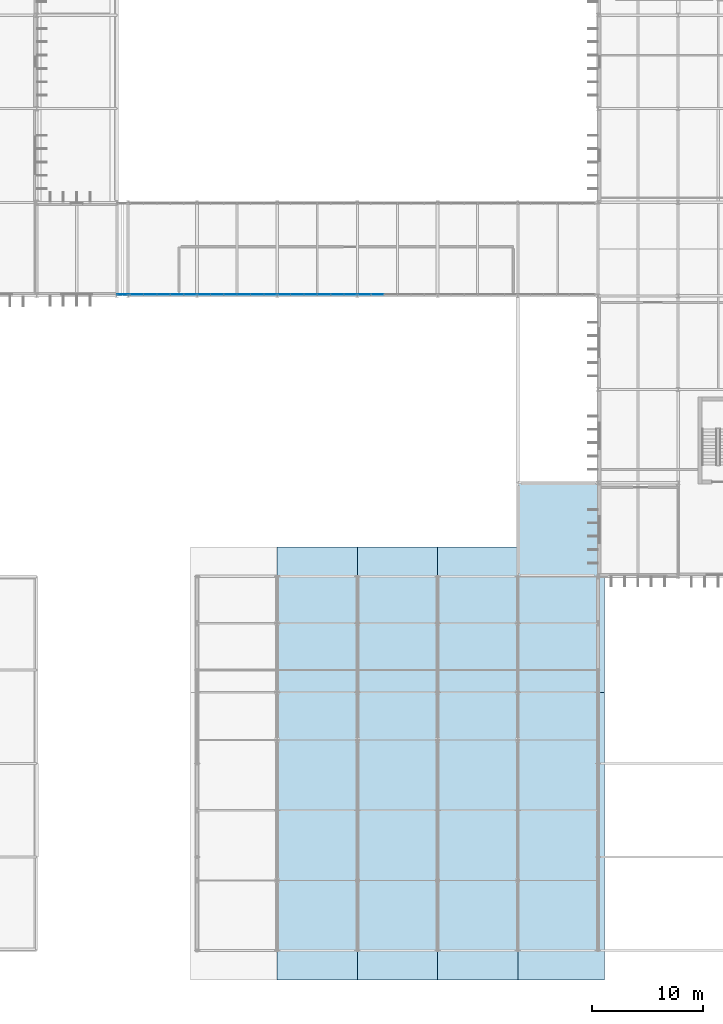
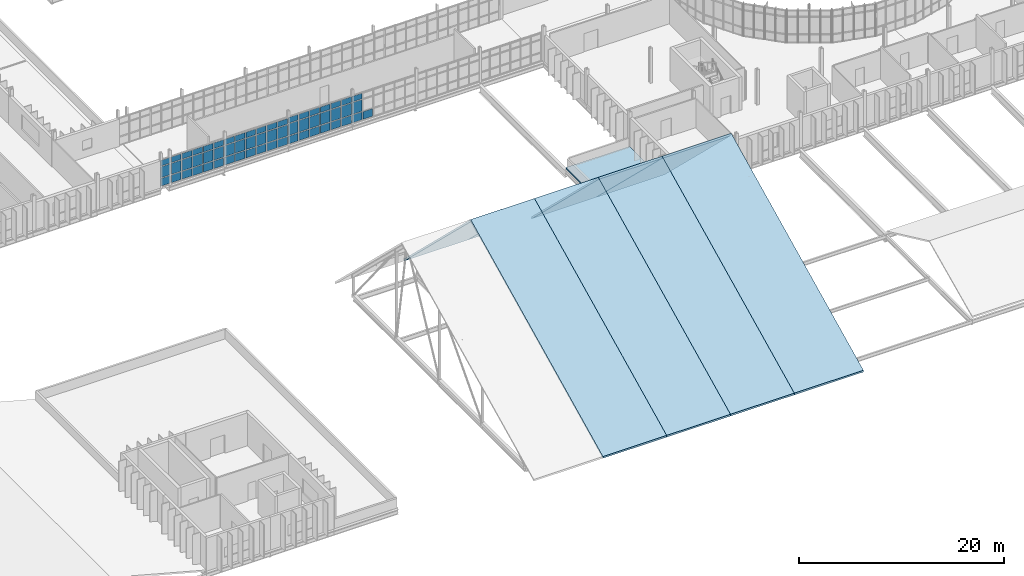
# One storey, part 57 of 99: 58 plates, 9 slabs, 4 elements without a shape of their own.
"""IFC4 building model written with IfcOpenShell, lengths in metres."""

from ifc_helpers import new_model, si_unit, direction, frame, origin, origin_2d, place, context, subcontext, project, spatial, polyline, rectangle, outline, extrude, material, layer, layer_set, type_object, element, aggregate, save


model = new_model("IFC4")

# Units and contexts
model_context = context("Model", 3, precision=1e-05, world=origin(), true_north=direction((0.0, 1.0)))
body_context = subcontext(model_context, "Body", "Model", "MODEL_VIEW")
ifc_project = project(units=[si_unit("LENGTHUNIT", "METRE"), si_unit("AREAUNIT", "SQUARE_METRE"), si_unit("VOLUMEUNIT", "CUBIC_METRE"), si_unit("PLANEANGLEUNIT", "RADIAN"), si_unit("MASSUNIT", "GRAM", prefix="KILO")], contexts=[model_context])

# Site, building, storey
site_placement = place(None, origin())
site = spatial("IfcSite", under=ifc_project, at=site_placement, CompositionType="ELEMENT")
building_placement = place(site_placement, origin())
building = spatial("IfcBuilding", under=site, at=building_placement, Name="Qelthora Terrace Specialist Clinic", CompositionType="ELEMENT")
storey_placement = place(building_placement, frame((0.0, 0.0, 9.0)))
storey = spatial("IfcBuildingStorey", under=building, at=storey_placement, Name="L02", CompositionType="ELEMENT", Elevation=9.0)

# Curtain wall, plates
ifc_material_1 = material(Name="Aluminium anodized bronze", Category="aluminium")
curtain_wall_type = type_object("IfcCurtainWallType", Name="CW-BRG-L02", PredefinedType="NOTDEFINED", material=ifc_material_1)
curtain_wall_1_placement = place(storey_placement, origin())
curtain_wall_1 = element("IfcCurtainWall", 1, at=curtain_wall_1_placement, inside=storey, type_object=curtain_wall_type, Name="Curtain wall CW-L02-262", PredefinedType="NOTDEFINED")
ifc_material_2 = material(Name="Low-E triple-silver insulating glass", Category="glass")
ifc_layer_1 = layer(ifc_material_2, 0.035888671875)
ifc_layer_set_1 = layer_set([ifc_layer_1], Name="Low-E triple-silver insulating glass")
plate_type = type_object("IfcPlateType", Name="CWP-IGU-36", PredefinedType="CURTAIN_PANEL", material=ifc_layer_set_1)
plate_1_placement = place(storey_placement, frame((51.0, 58.919921875, 0.0849609375), z_axis=(0.0, 0.0, 1.0), x_axis=(1.0, 0.0, 0.0)))
plate_1 = element("IfcPlate", 2, at=plate_1_placement, type_object=plate_type, Name="CW-L02-262 glazed panel 1", PredefinedType="CURTAIN_PANEL", context=body_context, shape_type="SweptSolid", body=[
    extrude(rectangle(XDim=1.10009765625, YDim=0.035888671875, at=origin_2d()), origin(), (0.0, 0.0, 1.0), 0.919921875),
])
plate_2_placement = place(storey_placement, frame((51.0, 58.919921875, 1.094970703125), z_axis=(0.0, 0.0, 1.0), x_axis=(1.0, 0.0, 0.0)))
plate_2 = element("IfcPlate", 3, at=plate_2_placement, type_object=plate_type, Name="CW-L02-262 glazed panel 2", PredefinedType="CURTAIN_PANEL", context=body_context, shape_type="SweptSolid", body=[
    extrude(rectangle(XDim=1.10009765625, YDim=0.035888671875, at=origin_2d()), origin(), (0.0, 0.0, 1.0), 1.30908203125),
])
plate_3_placement = place(storey_placement, frame((51.0, 58.919921875, 2.494140625), z_axis=(0.0, 0.0, 1.0), x_axis=(1.0, 0.0, 0.0)))
plate_3 = element("IfcPlate", 4, at=plate_3_placement, type_object=plate_type, Name="CW-L02-262 glazed panel 3", PredefinedType="CURTAIN_PANEL", context=body_context, shape_type="SweptSolid", body=[
    extrude(rectangle(XDim=1.10009765625, YDim=0.035888671875, at=origin_2d()), origin(), (0.0, 0.0, 1.0), 0.669921875),
])
plate_4_placement = place(storey_placement, frame((52.199951171875, 58.919921875, 0.0849609375), z_axis=(0.0, 0.0, 1.0), x_axis=(1.0, 0.0, 0.0)))
plate_4 = element("IfcPlate", 5, at=plate_4_placement, type_object=plate_type, Name="CW-L02-262 glazed panel 4", PredefinedType="CURTAIN_PANEL", context=body_context, shape_type="SweptSolid", body=[
    extrude(rectangle(XDim=1.10009765625, YDim=0.035888671875, at=origin_2d()), origin(), (0.0, 0.0, 1.0), 0.919921875),
])
plate_5_placement = place(storey_placement, frame((52.199951171875, 58.919921875, 1.094970703125), z_axis=(0.0, 0.0, 1.0), x_axis=(1.0, 0.0, 0.0)))
plate_5 = element("IfcPlate", 6, at=plate_5_placement, type_object=plate_type, Name="CW-L02-262 glazed panel 5", PredefinedType="CURTAIN_PANEL", context=body_context, shape_type="SweptSolid", body=[
    extrude(rectangle(XDim=1.10009765625, YDim=0.035888671875, at=origin_2d()), origin(), (0.0, 0.0, 1.0), 1.30908203125),
])
plate_6_placement = place(storey_placement, frame((52.199951171875, 58.919921875, 2.494140625), z_axis=(0.0, 0.0, 1.0), x_axis=(1.0, 0.0, 0.0)))
plate_6 = element("IfcPlate", 7, at=plate_6_placement, type_object=plate_type, Name="CW-L02-262 glazed panel 6", PredefinedType="CURTAIN_PANEL", context=body_context, shape_type="SweptSolid", body=[
    extrude(rectangle(XDim=1.10009765625, YDim=0.035888671875, at=origin_2d()), origin(), (0.0, 0.0, 1.0), 0.669921875),
])
plate_7_placement = place(storey_placement, frame((53.39990234375, 58.919921875, 0.0849609375), z_axis=(0.0, 0.0, 1.0), x_axis=(1.0, 0.0, 0.0)))
plate_7 = element("IfcPlate", 8, at=plate_7_placement, type_object=plate_type, Name="CW-L02-262 glazed panel 7", PredefinedType="CURTAIN_PANEL", context=body_context, shape_type="SweptSolid", body=[
    extrude(rectangle(XDim=1.10009765625, YDim=0.035888671875, at=origin_2d()), origin(), (0.0, 0.0, 1.0), 0.919921875),
])
plate_8_placement = place(storey_placement, frame((53.39990234375, 58.919921875, 1.094970703125), z_axis=(0.0, 0.0, 1.0), x_axis=(1.0, 0.0, 0.0)))
plate_8 = element("IfcPlate", 9, at=plate_8_placement, type_object=plate_type, Name="CW-L02-262 glazed panel 8", PredefinedType="CURTAIN_PANEL", context=body_context, shape_type="SweptSolid", body=[
    extrude(rectangle(XDim=1.10009765625, YDim=0.035888671875, at=origin_2d()), origin(), (0.0, 0.0, 1.0), 1.30908203125),
])
plate_9_placement = place(storey_placement, frame((53.39990234375, 58.919921875, 2.494140625), z_axis=(0.0, 0.0, 1.0), x_axis=(1.0, 0.0, 0.0)))
plate_9 = element("IfcPlate", 10, at=plate_9_placement, type_object=plate_type, Name="CW-L02-262 glazed panel 9", PredefinedType="CURTAIN_PANEL", context=body_context, shape_type="SweptSolid", body=[
    extrude(rectangle(XDim=1.10009765625, YDim=0.035888671875, at=origin_2d()), origin(), (0.0, 0.0, 1.0), 0.669921875),
])
plate_10_placement = place(storey_placement, frame((54.60009765625, 58.919921875, 0.0849609375), z_axis=(0.0, 0.0, 1.0), x_axis=(1.0, 0.0, 0.0)))
plate_10 = element("IfcPlate", 11, at=plate_10_placement, type_object=plate_type, Name="CW-L02-262 glazed panel 10", PredefinedType="CURTAIN_PANEL", context=body_context, shape_type="SweptSolid", body=[
    extrude(rectangle(XDim=1.10009765625, YDim=0.035888671875, at=origin_2d()), origin(), (0.0, 0.0, 1.0), 0.919921875),
])
plate_11_placement = place(storey_placement, frame((54.60009765625, 58.919921875, 1.094970703125), z_axis=(0.0, 0.0, 1.0), x_axis=(1.0, 0.0, 0.0)))
plate_11 = element("IfcPlate", 12, at=plate_11_placement, type_object=plate_type, Name="CW-L02-262 glazed panel 11", PredefinedType="CURTAIN_PANEL", context=body_context, shape_type="SweptSolid", body=[
    extrude(rectangle(XDim=1.10009765625, YDim=0.035888671875, at=origin_2d()), origin(), (0.0, 0.0, 1.0), 1.30908203125),
])
plate_12_placement = place(storey_placement, frame((54.60009765625, 58.919921875, 2.494140625), z_axis=(0.0, 0.0, 1.0), x_axis=(1.0, 0.0, 0.0)))
plate_12 = element("IfcPlate", 13, at=plate_12_placement, type_object=plate_type, Name="CW-L02-262 glazed panel 12", PredefinedType="CURTAIN_PANEL", context=body_context, shape_type="SweptSolid", body=[
    extrude(rectangle(XDim=1.10009765625, YDim=0.035888671875, at=origin_2d()), origin(), (0.0, 0.0, 1.0), 0.669921875),
])
plate_13_placement = place(storey_placement, frame((55.800048828125, 58.919921875, 0.0849609375), z_axis=(0.0, 0.0, 1.0), x_axis=(1.0, 0.0, 0.0)))
plate_13 = element("IfcPlate", 14, at=plate_13_placement, type_object=plate_type, Name="CW-L02-262 glazed panel 13", PredefinedType="CURTAIN_PANEL", context=body_context, shape_type="SweptSolid", body=[
    extrude(rectangle(XDim=1.10009765625, YDim=0.035888671875, at=origin_2d()), origin(), (0.0, 0.0, 1.0), 0.919921875),
])
plate_14_placement = place(storey_placement, frame((55.800048828125, 58.919921875, 1.094970703125), z_axis=(0.0, 0.0, 1.0), x_axis=(1.0, 0.0, 0.0)))
plate_14 = element("IfcPlate", 15, at=plate_14_placement, type_object=plate_type, Name="CW-L02-262 glazed panel 14", PredefinedType="CURTAIN_PANEL", context=body_context, shape_type="SweptSolid", body=[
    extrude(rectangle(XDim=1.10009765625, YDim=0.035888671875, at=origin_2d()), origin(), (0.0, 0.0, 1.0), 1.30908203125),
])
plate_15_placement = place(storey_placement, frame((55.800048828125, 58.919921875, 2.494140625), z_axis=(0.0, 0.0, 1.0), x_axis=(1.0, 0.0, 0.0)))
plate_15 = element("IfcPlate", 16, at=plate_15_placement, type_object=plate_type, Name="CW-L02-262 glazed panel 15", PredefinedType="CURTAIN_PANEL", context=body_context, shape_type="SweptSolid", body=[
    extrude(rectangle(XDim=1.10009765625, YDim=0.035888671875, at=origin_2d()), origin(), (0.0, 0.0, 1.0), 0.669921875),
])
plate_16_placement = place(storey_placement, frame((57.0, 58.919921875, 0.0849609375), z_axis=(0.0, 0.0, 1.0), x_axis=(1.0, 0.0, 0.0)))
plate_16 = element("IfcPlate", 17, at=plate_16_placement, type_object=plate_type, Name="CW-L02-262 glazed panel 16", PredefinedType="CURTAIN_PANEL", context=body_context, shape_type="SweptSolid", body=[
    extrude(rectangle(XDim=1.10009765625, YDim=0.035888671875, at=origin_2d()), origin(), (0.0, 0.0, 1.0), 0.919921875),
])
plate_17_placement = place(storey_placement, frame((57.0, 58.919921875, 1.094970703125), z_axis=(0.0, 0.0, 1.0), x_axis=(1.0, 0.0, 0.0)))
plate_17 = element("IfcPlate", 18, at=plate_17_placement, type_object=plate_type, Name="CW-L02-262 glazed panel 17", PredefinedType="CURTAIN_PANEL", context=body_context, shape_type="SweptSolid", body=[
    extrude(rectangle(XDim=1.10009765625, YDim=0.035888671875, at=origin_2d()), origin(), (0.0, 0.0, 1.0), 1.30908203125),
])
plate_18_placement = place(storey_placement, frame((57.0, 58.919921875, 2.494140625), z_axis=(0.0, 0.0, 1.0), x_axis=(1.0, 0.0, 0.0)))
plate_18 = element("IfcPlate", 19, at=plate_18_placement, type_object=plate_type, Name="CW-L02-262 glazed panel 18", PredefinedType="CURTAIN_PANEL", context=body_context, shape_type="SweptSolid", body=[
    extrude(rectangle(XDim=1.10009765625, YDim=0.035888671875, at=origin_2d()), origin(), (0.0, 0.0, 1.0), 0.669921875),
])
aggregate(curtain_wall_1, [plate_1, plate_2, plate_3, plate_4, plate_5, plate_6, plate_7, plate_8, plate_9, plate_10, plate_11, plate_12, plate_13, plate_14, plate_15, plate_16, plate_17, plate_18])

curtain_wall_2_placement = place(storey_placement, origin())
curtain_wall_2 = element("IfcCurtainWall", 20, at=curtain_wall_2_placement, inside=storey, type_object=curtain_wall_type, Name="Curtain wall CW-L02-263", PredefinedType="NOTDEFINED")
plate_19_placement = place(storey_placement, frame((58.199951171875, 58.919921875, 0.0849609375), z_axis=(0.0, 0.0, 1.0), x_axis=(1.0, 0.0, 0.0)))
plate_19 = element("IfcPlate", 21, at=plate_19_placement, type_object=plate_type, Name="CW-L02-263 glazed panel 1", PredefinedType="CURTAIN_PANEL", context=body_context, shape_type="SweptSolid", body=[
    extrude(rectangle(XDim=1.10009765625, YDim=0.035888671875, at=origin_2d()), origin(), (0.0, 0.0, 1.0), 0.919921875),
])
plate_20_placement = place(storey_placement, frame((58.199951171875, 58.919921875, 1.094970703125), z_axis=(0.0, 0.0, 1.0), x_axis=(1.0, 0.0, 0.0)))
plate_20 = element("IfcPlate", 22, at=plate_20_placement, type_object=plate_type, Name="CW-L02-263 glazed panel 2", PredefinedType="CURTAIN_PANEL", context=body_context, shape_type="SweptSolid", body=[
    extrude(rectangle(XDim=1.10009765625, YDim=0.035888671875, at=origin_2d()), origin(), (0.0, 0.0, 1.0), 1.31396484375),
])
plate_21_placement = place(storey_placement, frame((58.199951171875, 58.919921875, 2.4990234375), z_axis=(0.0, 0.0, 1.0), x_axis=(1.0, 0.0, 0.0)))
plate_21 = element("IfcPlate", 23, at=plate_21_placement, type_object=plate_type, Name="CW-L02-263 glazed panel 3", PredefinedType="CURTAIN_PANEL", context=body_context, shape_type="SweptSolid", body=[
    extrude(rectangle(XDim=1.10009765625, YDim=0.035888671875, at=origin_2d()), origin(), (0.0, 0.0, 1.0), 0.669921875),
])
plate_22_placement = place(storey_placement, frame((59.39990234375, 58.919921875, 0.0849609375), z_axis=(0.0, 0.0, 1.0), x_axis=(1.0, 0.0, 0.0)))
plate_22 = element("IfcPlate", 24, at=plate_22_placement, type_object=plate_type, Name="CW-L02-263 glazed panel 4", PredefinedType="CURTAIN_PANEL", context=body_context, shape_type="SweptSolid", body=[
    extrude(rectangle(XDim=1.10009765625, YDim=0.035888671875, at=origin_2d()), origin(), (0.0, 0.0, 1.0), 0.919921875),
])
plate_23_placement = place(storey_placement, frame((59.39990234375, 58.919921875, 1.094970703125), z_axis=(0.0, 0.0, 1.0), x_axis=(1.0, 0.0, 0.0)))
plate_23 = element("IfcPlate", 25, at=plate_23_placement, type_object=plate_type, Name="CW-L02-263 glazed panel 5", PredefinedType="CURTAIN_PANEL", context=body_context, shape_type="SweptSolid", body=[
    extrude(rectangle(XDim=1.10009765625, YDim=0.035888671875, at=origin_2d()), origin(), (0.0, 0.0, 1.0), 1.31396484375),
])
plate_24_placement = place(storey_placement, frame((59.39990234375, 58.919921875, 2.4990234375), z_axis=(0.0, 0.0, 1.0), x_axis=(1.0, 0.0, 0.0)))
plate_24 = element("IfcPlate", 26, at=plate_24_placement, type_object=plate_type, Name="CW-L02-263 glazed panel 6", PredefinedType="CURTAIN_PANEL", context=body_context, shape_type="SweptSolid", body=[
    extrude(rectangle(XDim=1.10009765625, YDim=0.035888671875, at=origin_2d()), origin(), (0.0, 0.0, 1.0), 0.669921875),
])
plate_25_placement = place(storey_placement, frame((60.60009765625, 58.919921875, 0.0849609375), z_axis=(0.0, 0.0, 1.0), x_axis=(1.0, 0.0, 0.0)))
plate_25 = element("IfcPlate", 27, at=plate_25_placement, type_object=plate_type, Name="CW-L02-263 glazed panel 7", PredefinedType="CURTAIN_PANEL", context=body_context, shape_type="SweptSolid", body=[
    extrude(rectangle(XDim=1.10009765625, YDim=0.035888671875, at=origin_2d()), origin(), (0.0, 0.0, 1.0), 0.919921875),
])
plate_26_placement = place(storey_placement, frame((60.60009765625, 58.919921875, 1.094970703125), z_axis=(0.0, 0.0, 1.0), x_axis=(1.0, 0.0, 0.0)))
plate_26 = element("IfcPlate", 28, at=plate_26_placement, type_object=plate_type, Name="CW-L02-263 glazed panel 8", PredefinedType="CURTAIN_PANEL", context=body_context, shape_type="SweptSolid", body=[
    extrude(rectangle(XDim=1.10009765625, YDim=0.035888671875, at=origin_2d()), origin(), (0.0, 0.0, 1.0), 1.31396484375),
])
plate_27_placement = place(storey_placement, frame((60.60009765625, 58.919921875, 2.4990234375), z_axis=(0.0, 0.0, 1.0), x_axis=(1.0, 0.0, 0.0)))
plate_27 = element("IfcPlate", 29, at=plate_27_placement, type_object=plate_type, Name="CW-L02-263 glazed panel 9", PredefinedType="CURTAIN_PANEL", context=body_context, shape_type="SweptSolid", body=[
    extrude(rectangle(XDim=1.10009765625, YDim=0.035888671875, at=origin_2d()), origin(), (0.0, 0.0, 1.0), 0.669921875),
])
plate_28_placement = place(storey_placement, frame((61.800048828125, 58.919921875, 0.0849609375), z_axis=(0.0, 0.0, 1.0), x_axis=(1.0, 0.0, 0.0)))
plate_28 = element("IfcPlate", 30, at=plate_28_placement, type_object=plate_type, Name="CW-L02-263 glazed panel 10", PredefinedType="CURTAIN_PANEL", context=body_context, shape_type="SweptSolid", body=[
    extrude(rectangle(XDim=1.10009765625, YDim=0.035888671875, at=origin_2d()), origin(), (0.0, 0.0, 1.0), 0.919921875),
])
plate_29_placement = place(storey_placement, frame((61.800048828125, 58.919921875, 1.094970703125), z_axis=(0.0, 0.0, 1.0), x_axis=(1.0, 0.0, 0.0)))
plate_29 = element("IfcPlate", 31, at=plate_29_placement, type_object=plate_type, Name="CW-L02-263 glazed panel 11", PredefinedType="CURTAIN_PANEL", context=body_context, shape_type="SweptSolid", body=[
    extrude(rectangle(XDim=1.10009765625, YDim=0.035888671875, at=origin_2d()), origin(), (0.0, 0.0, 1.0), 1.31396484375),
])
plate_30_placement = place(storey_placement, frame((61.800048828125, 58.919921875, 2.4990234375), z_axis=(0.0, 0.0, 1.0), x_axis=(1.0, 0.0, 0.0)))
plate_30 = element("IfcPlate", 32, at=plate_30_placement, type_object=plate_type, Name="CW-L02-263 glazed panel 12", PredefinedType="CURTAIN_PANEL", context=body_context, shape_type="SweptSolid", body=[
    extrude(rectangle(XDim=1.10009765625, YDim=0.035888671875, at=origin_2d()), origin(), (0.0, 0.0, 1.0), 0.669921875),
])
plate_31_placement = place(storey_placement, frame((63.0, 58.919921875, 0.0849609375), z_axis=(0.0, 0.0, 1.0), x_axis=(1.0, 0.0, 0.0)))
plate_31 = element("IfcPlate", 33, at=plate_31_placement, type_object=plate_type, Name="CW-L02-263 glazed panel 13", PredefinedType="CURTAIN_PANEL", context=body_context, shape_type="SweptSolid", body=[
    extrude(rectangle(XDim=1.10009765625, YDim=0.035888671875, at=origin_2d()), origin(), (0.0, 0.0, 1.0), 0.919921875),
])
plate_32_placement = place(storey_placement, frame((63.0, 58.919921875, 1.094970703125), z_axis=(0.0, 0.0, 1.0), x_axis=(1.0, 0.0, 0.0)))
plate_32 = element("IfcPlate", 34, at=plate_32_placement, type_object=plate_type, Name="CW-L02-263 glazed panel 14", PredefinedType="CURTAIN_PANEL", context=body_context, shape_type="SweptSolid", body=[
    extrude(rectangle(XDim=1.10009765625, YDim=0.035888671875, at=origin_2d()), origin(), (0.0, 0.0, 1.0), 1.31396484375),
])
plate_33_placement = place(storey_placement, frame((63.0, 58.919921875, 2.4990234375), z_axis=(0.0, 0.0, 1.0), x_axis=(1.0, 0.0, 0.0)))
plate_33 = element("IfcPlate", 35, at=plate_33_placement, type_object=plate_type, Name="CW-L02-263 glazed panel 15", PredefinedType="CURTAIN_PANEL", context=body_context, shape_type="SweptSolid", body=[
    extrude(rectangle(XDim=1.10009765625, YDim=0.035888671875, at=origin_2d()), origin(), (0.0, 0.0, 1.0), 0.669921875),
])
plate_34_placement = place(storey_placement, frame((64.199951171875, 58.919921875, 0.0849609375), z_axis=(0.0, 0.0, 1.0), x_axis=(1.0, 0.0, 0.0)))
plate_34 = element("IfcPlate", 36, at=plate_34_placement, type_object=plate_type, Name="CW-L02-263 glazed panel 16", PredefinedType="CURTAIN_PANEL", context=body_context, shape_type="SweptSolid", body=[
    extrude(rectangle(XDim=1.10009765625, YDim=0.035888671875, at=origin_2d()), origin(), (0.0, 0.0, 1.0), 0.919921875),
])
plate_35_placement = place(storey_placement, frame((64.199951171875, 58.919921875, 1.094970703125), z_axis=(0.0, 0.0, 1.0), x_axis=(1.0, 0.0, 0.0)))
plate_35 = element("IfcPlate", 37, at=plate_35_placement, type_object=plate_type, Name="CW-L02-263 glazed panel 17", PredefinedType="CURTAIN_PANEL", context=body_context, shape_type="SweptSolid", body=[
    extrude(rectangle(XDim=1.10009765625, YDim=0.035888671875, at=origin_2d()), origin(), (0.0, 0.0, 1.0), 1.31396484375),
])
plate_36_placement = place(storey_placement, frame((64.199951171875, 58.919921875, 2.4990234375), z_axis=(0.0, 0.0, 1.0), x_axis=(1.0, 0.0, 0.0)))
plate_36 = element("IfcPlate", 38, at=plate_36_placement, type_object=plate_type, Name="CW-L02-263 glazed panel 18", PredefinedType="CURTAIN_PANEL", context=body_context, shape_type="SweptSolid", body=[
    extrude(rectangle(XDim=1.10009765625, YDim=0.035888671875, at=origin_2d()), origin(), (0.0, 0.0, 1.0), 0.669921875),
])
aggregate(curtain_wall_2, [plate_19, plate_20, plate_21, plate_22, plate_23, plate_24, plate_25, plate_26, plate_27, plate_28, plate_29, plate_30, plate_31, plate_32, plate_33, plate_34, plate_35, plate_36])

curtain_wall_3_placement = place(storey_placement, origin())
curtain_wall_3 = element("IfcCurtainWall", 39, at=curtain_wall_3_placement, inside=storey, type_object=curtain_wall_type, Name="Curtain wall CW-L02-264", PredefinedType="NOTDEFINED")
plate_37_placement = place(storey_placement, frame((65.39990234375, 58.919921875, 0.0849609375), z_axis=(0.0, 0.0, 1.0), x_axis=(1.0, 0.0, 0.0)))
plate_37 = element("IfcPlate", 40, at=plate_37_placement, type_object=plate_type, Name="CW-L02-264 glazed panel 1", PredefinedType="CURTAIN_PANEL", context=body_context, shape_type="SweptSolid", body=[
    extrude(rectangle(XDim=1.10009765625, YDim=0.035888671875, at=origin_2d()), origin(), (0.0, 0.0, 1.0), 0.919921875),
])
plate_38_placement = place(storey_placement, frame((65.39990234375, 58.919921875, 1.09521484375), z_axis=(0.0, 0.0, 1.0), x_axis=(1.0, 0.0, 0.0)))
plate_38 = element("IfcPlate", 41, at=plate_38_placement, type_object=plate_type, Name="CW-L02-264 glazed panel 2", PredefinedType="CURTAIN_PANEL", context=body_context, shape_type="SweptSolid", body=[
    extrude(rectangle(XDim=1.10009765625, YDim=0.035888671875, at=origin_2d()), origin(), (0.0, 0.0, 1.0), 1.385009765625),
])
plate_39_placement = place(storey_placement, frame((65.39990234375, 58.919921875, 2.570068359375), z_axis=(0.0, 0.0, 1.0), x_axis=(1.0, 0.0, 0.0)))
plate_39 = element("IfcPlate", 42, at=plate_39_placement, type_object=plate_type, Name="CW-L02-264 glazed panel 3", PredefinedType="CURTAIN_PANEL", context=body_context, shape_type="SweptSolid", body=[
    extrude(rectangle(XDim=1.10009765625, YDim=0.035888671875, at=origin_2d()), origin(), (0.0, 0.0, 1.0), 0.669921875),
])
plate_40_placement = place(storey_placement, frame((66.60009765625, 58.919921875, 0.0849609375), z_axis=(0.0, 0.0, 1.0), x_axis=(1.0, 0.0, 0.0)))
plate_40 = element("IfcPlate", 43, at=plate_40_placement, type_object=plate_type, Name="CW-L02-264 glazed panel 4", PredefinedType="CURTAIN_PANEL", context=body_context, shape_type="SweptSolid", body=[
    extrude(rectangle(XDim=1.10009765625, YDim=0.035888671875, at=origin_2d()), origin(), (0.0, 0.0, 1.0), 0.919921875),
])
plate_41_placement = place(storey_placement, frame((66.60009765625, 58.919921875, 1.09521484375), z_axis=(0.0, 0.0, 1.0), x_axis=(1.0, 0.0, 0.0)))
plate_41 = element("IfcPlate", 44, at=plate_41_placement, type_object=plate_type, Name="CW-L02-264 glazed panel 5", PredefinedType="CURTAIN_PANEL", context=body_context, shape_type="SweptSolid", body=[
    extrude(rectangle(XDim=1.10009765625, YDim=0.035888671875, at=origin_2d()), origin(), (0.0, 0.0, 1.0), 1.385009765625),
])
plate_42_placement = place(storey_placement, frame((66.60009765625, 58.919921875, 2.570068359375), z_axis=(0.0, 0.0, 1.0), x_axis=(1.0, 0.0, 0.0)))
plate_42 = element("IfcPlate", 45, at=plate_42_placement, type_object=plate_type, Name="CW-L02-264 glazed panel 6", PredefinedType="CURTAIN_PANEL", context=body_context, shape_type="SweptSolid", body=[
    extrude(rectangle(XDim=1.10009765625, YDim=0.035888671875, at=origin_2d()), origin(), (0.0, 0.0, 1.0), 0.669921875),
])
plate_43_placement = place(storey_placement, frame((67.800048828125, 58.919921875, 0.0849609375), z_axis=(0.0, 0.0, 1.0), x_axis=(1.0, 0.0, 0.0)))
plate_43 = element("IfcPlate", 46, at=plate_43_placement, type_object=plate_type, Name="CW-L02-264 glazed panel 7", PredefinedType="CURTAIN_PANEL", context=body_context, shape_type="SweptSolid", body=[
    extrude(rectangle(XDim=1.10009765625, YDim=0.035888671875, at=origin_2d()), origin(), (0.0, 0.0, 1.0), 0.919921875),
])
plate_44_placement = place(storey_placement, frame((67.800048828125, 58.919921875, 1.09521484375), z_axis=(0.0, 0.0, 1.0), x_axis=(1.0, 0.0, 0.0)))
plate_44 = element("IfcPlate", 47, at=plate_44_placement, type_object=plate_type, Name="CW-L02-264 glazed panel 8", PredefinedType="CURTAIN_PANEL", context=body_context, shape_type="SweptSolid", body=[
    extrude(rectangle(XDim=1.10009765625, YDim=0.035888671875, at=origin_2d()), origin(), (0.0, 0.0, 1.0), 1.385009765625),
])
plate_45_placement = place(storey_placement, frame((67.800048828125, 58.919921875, 2.570068359375), z_axis=(0.0, 0.0, 1.0), x_axis=(1.0, 0.0, 0.0)))
plate_45 = element("IfcPlate", 48, at=plate_45_placement, type_object=plate_type, Name="CW-L02-264 glazed panel 9", PredefinedType="CURTAIN_PANEL", context=body_context, shape_type="SweptSolid", body=[
    extrude(rectangle(XDim=1.10009765625, YDim=0.035888671875, at=origin_2d()), origin(), (0.0, 0.0, 1.0), 0.669921875),
])
plate_46_placement = place(storey_placement, frame((69.0, 58.919921875, 0.0849609375), z_axis=(0.0, 0.0, 1.0), x_axis=(1.0, 0.0, 0.0)))
plate_46 = element("IfcPlate", 49, at=plate_46_placement, type_object=plate_type, Name="CW-L02-264 glazed panel 10", PredefinedType="CURTAIN_PANEL", context=body_context, shape_type="SweptSolid", body=[
    extrude(rectangle(XDim=1.10009765625, YDim=0.035888671875, at=origin_2d()), origin(), (0.0, 0.0, 1.0), 0.919921875),
])
plate_47_placement = place(storey_placement, frame((69.0, 58.919921875, 1.09521484375), z_axis=(0.0, 0.0, 1.0), x_axis=(1.0, 0.0, 0.0)))
plate_47 = element("IfcPlate", 50, at=plate_47_placement, type_object=plate_type, Name="CW-L02-264 glazed panel 11", PredefinedType="CURTAIN_PANEL", context=body_context, shape_type="SweptSolid", body=[
    extrude(rectangle(XDim=1.10009765625, YDim=0.035888671875, at=origin_2d()), origin(), (0.0, 0.0, 1.0), 1.385009765625),
])
plate_48_placement = place(storey_placement, frame((69.0, 58.919921875, 2.570068359375), z_axis=(0.0, 0.0, 1.0), x_axis=(1.0, 0.0, 0.0)))
plate_48 = element("IfcPlate", 51, at=plate_48_placement, type_object=plate_type, Name="CW-L02-264 glazed panel 12", PredefinedType="CURTAIN_PANEL", context=body_context, shape_type="SweptSolid", body=[
    extrude(rectangle(XDim=1.10009765625, YDim=0.035888671875, at=origin_2d()), origin(), (0.0, 0.0, 1.0), 0.669921875),
])
plate_49_placement = place(storey_placement, frame((70.199951171875, 58.919921875, 0.0849609375), z_axis=(0.0, 0.0, 1.0), x_axis=(1.0, 0.0, 0.0)))
plate_49 = element("IfcPlate", 52, at=plate_49_placement, type_object=plate_type, Name="CW-L02-264 glazed panel 13", PredefinedType="CURTAIN_PANEL", context=body_context, shape_type="SweptSolid", body=[
    extrude(rectangle(XDim=1.10009765625, YDim=0.035888671875, at=origin_2d()), origin(), (0.0, 0.0, 1.0), 0.919921875),
])
plate_50_placement = place(storey_placement, frame((70.199951171875, 58.919921875, 1.09521484375), z_axis=(0.0, 0.0, 1.0), x_axis=(1.0, 0.0, 0.0)))
plate_50 = element("IfcPlate", 53, at=plate_50_placement, type_object=plate_type, Name="CW-L02-264 glazed panel 14", PredefinedType="CURTAIN_PANEL", context=body_context, shape_type="SweptSolid", body=[
    extrude(rectangle(XDim=1.10009765625, YDim=0.035888671875, at=origin_2d()), origin(), (0.0, 0.0, 1.0), 1.385009765625),
])
plate_51_placement = place(storey_placement, frame((70.199951171875, 58.919921875, 2.570068359375), z_axis=(0.0, 0.0, 1.0), x_axis=(1.0, 0.0, 0.0)))
plate_51 = element("IfcPlate", 54, at=plate_51_placement, type_object=plate_type, Name="CW-L02-264 glazed panel 15", PredefinedType="CURTAIN_PANEL", context=body_context, shape_type="SweptSolid", body=[
    extrude(rectangle(XDim=1.10009765625, YDim=0.035888671875, at=origin_2d()), origin(), (0.0, 0.0, 1.0), 0.669921875),
])
plate_52_placement = place(storey_placement, frame((71.39990234375, 58.919921875, 0.0849609375), z_axis=(0.0, 0.0, 1.0), x_axis=(1.0, 0.0, 0.0)))
plate_52 = element("IfcPlate", 55, at=plate_52_placement, type_object=plate_type, Name="CW-L02-264 glazed panel 16", PredefinedType="CURTAIN_PANEL", context=body_context, shape_type="SweptSolid", body=[
    extrude(rectangle(XDim=1.10009765625, YDim=0.035888671875, at=origin_2d()), origin(), (0.0, 0.0, 1.0), 0.919921875),
])
plate_53_placement = place(storey_placement, frame((71.39990234375, 58.919921875, 1.09521484375), z_axis=(0.0, 0.0, 1.0), x_axis=(1.0, 0.0, 0.0)))
plate_53 = element("IfcPlate", 56, at=plate_53_placement, type_object=plate_type, Name="CW-L02-264 glazed panel 17", PredefinedType="CURTAIN_PANEL", context=body_context, shape_type="SweptSolid", body=[
    extrude(rectangle(XDim=1.10009765625, YDim=0.035888671875, at=origin_2d()), origin(), (0.0, 0.0, 1.0), 1.385009765625),
])
plate_54_placement = place(storey_placement, frame((71.39990234375, 58.919921875, 2.570068359375), z_axis=(0.0, 0.0, 1.0), x_axis=(1.0, 0.0, 0.0)))
plate_54 = element("IfcPlate", 57, at=plate_54_placement, type_object=plate_type, Name="CW-L02-264 glazed panel 18", PredefinedType="CURTAIN_PANEL", context=body_context, shape_type="SweptSolid", body=[
    extrude(rectangle(XDim=1.10009765625, YDim=0.035888671875, at=origin_2d()), origin(), (0.0, 0.0, 1.0), 0.669921875),
])
aggregate(curtain_wall_3, [plate_37, plate_38, plate_39, plate_40, plate_41, plate_42, plate_43, plate_44, plate_45, plate_46, plate_47, plate_48, plate_49, plate_50, plate_51, plate_52, plate_53, plate_54])

curtain_wall_4_placement = place(storey_placement, origin())
curtain_wall_4 = element("IfcCurtainWall", 58, at=curtain_wall_4_placement, inside=storey, type_object=curtain_wall_type, Name="Curtain wall CW-L02-265", PredefinedType="NOTDEFINED")
plate_55_placement = place(storey_placement, frame((72.60009765625, 58.919921875, 0.0849609375), z_axis=(0.0, 0.0, 1.0), x_axis=(1.0, 0.0, 0.0)))
plate_55 = element("IfcPlate", 59, at=plate_55_placement, type_object=plate_type, Name="CW-L02-265 glazed panel 1", PredefinedType="CURTAIN_PANEL", context=body_context, shape_type="SweptSolid", body=[
    extrude(rectangle(XDim=1.10009765625, YDim=0.035888671875, at=origin_2d()), origin(), (0.0, 0.0, 1.0), 0.919921875),
])
plate_56_placement = place(storey_placement, frame((72.60009765625, 58.919921875, 1.09521484375), z_axis=(0.0, 0.0, 1.0), x_axis=(1.0, 0.0, 0.0)))
plate_56 = element("IfcPlate", 60, at=plate_56_placement, type_object=plate_type, Name="CW-L02-265 glazed panel 2", PredefinedType="CURTAIN_PANEL", context=body_context, shape_type="SweptSolid", body=[
    extrude(rectangle(XDim=1.10009765625, YDim=0.035888671875, at=origin_2d()), origin(), (0.0, 0.0, 1.0), 1.389892578125),
])
plate_57_placement = place(storey_placement, frame((72.60009765625, 58.919921875, 2.574951171875), z_axis=(0.0, 0.0, 1.0), x_axis=(1.0, 0.0, 0.0)))
plate_57 = element("IfcPlate", 61, at=plate_57_placement, type_object=plate_type, Name="CW-L02-265 glazed panel 3", PredefinedType="CURTAIN_PANEL", context=body_context, shape_type="SweptSolid", body=[
    extrude(rectangle(XDim=1.10009765625, YDim=0.035888671875, at=origin_2d()), origin(), (0.0, 0.0, 1.0), 0.669921875),
])
plate_58_placement = place(storey_placement, frame((73.800048828125, 58.919921875, 0.0849609375), z_axis=(0.0, 0.0, 1.0), x_axis=(1.0, 0.0, 0.0)))
plate_58 = element("IfcPlate", 62, at=plate_58_placement, type_object=plate_type, Name="CW-L02-265 glazed panel 4", PredefinedType="CURTAIN_PANEL", context=body_context, shape_type="SweptSolid", body=[
    extrude(rectangle(XDim=1.10009765625, YDim=0.035888671875, at=origin_2d()), origin(), (0.0, 0.0, 1.0), 0.919921875),
])
aggregate(curtain_wall_4, [plate_55, plate_56, plate_57, plate_58])

# Slabs
ifc_material_3 = material(Name="Concrete C30/37", Category="concrete")
ifc_layer_2 = layer(ifc_material_3, 0.22509765625)
ifc_layer_set_2 = layer_set([ifc_layer_2], Name="Concrete C30/37")
slab_type_1 = type_object("IfcSlabType", Name="SLB-ROOF-170-ZINC", PredefinedType="ROOF", material=ifc_layer_set_2)
slab_1_placement = place(storey_placement, frame((0.0, 0.0, -0.22509765625)))
element("IfcSlab", 63, at=slab_1_placement, inside=storey, type_object=slab_type_1, Name="Stepped wing roof slab ROOF-V1-LNK-1", PredefinedType="ROOF", context=body_context, shape_type="SweptSolid", body=[
    extrude(outline(polyline([(93.60009765625, 42.0), (93.60009765625, 33.60009765625), (86.39990234375, 33.60009765625), (86.39990234375, 42.0), (93.60009765625, 42.0)])), origin(), (0.0, 0.0, 1.0), 0.22509765625),
])
ifc_layer_3 = layer(ifc_material_3, 0.235107421875)
ifc_layer_set_3 = layer_set([ifc_layer_3], Name="Concrete C30/37")
slab_type_2 = type_object("IfcSlabType", Name="SLB-ROOF-190-ZINC", PredefinedType="ROOF", material=ifc_layer_set_3)
slab_2_placement = place(storey_placement, frame((64.800048828125, -2.639892578125, -0.0615234375), z_axis=(0.0, -0.438291446593, 0.898832914308), x_axis=(1.0, 0.0, 0.0)))
element("IfcSlab", 64, at=slab_2_placement, inside=storey, type_object=slab_type_2, Name="Hall south standing-seam roof slope 2", PredefinedType="ROOF", context=body_context, shape_type="SweptSolid", body=[
    extrude(outline(polyline([(0.0, 0.0), (7.199951171875, 0.0), (7.199951171875, 28.748217092046787), (0.0, 28.748217092046787), (0.0, 0.0)])), origin(), (0.0, 0.438291446593, 0.898832914308), 0.21142578125),
])
slab_3_placement = place(storey_placement, frame((64.800048828125, 23.199951171875, 12.48583984375), z_axis=(0.0, 0.694871743822, 0.719133686902), x_axis=(1.0, 0.0, 0.0)))
element("IfcSlab", 65, at=slab_3_placement, inside=storey, type_object=slab_type_2, Name="Hall north standing-seam roof slope 2", PredefinedType="ROOF", context=body_context, shape_type="SweptSolid", body=[
    extrude(outline(polyline([(0.0, 0.0), (7.199951171875, 0.0), (7.199951171875, 18.132983199092273), (0.0, 18.132983199092273), (0.0, 0.0)])), origin(), (0.0, -0.694871743822, 0.719133686902), 0.26416015625),
])
slab_4_placement = place(storey_placement, frame((72.0, -2.639892578125, -0.0615234375), z_axis=(0.0, -0.438291446593, 0.898832914308), x_axis=(1.0, 0.0, 0.0)))
element("IfcSlab", 66, at=slab_4_placement, inside=storey, type_object=slab_type_2, Name="Hall south standing-seam roof slope 3", PredefinedType="ROOF", context=body_context, shape_type="SweptSolid", body=[
    extrude(outline(polyline([(0.0, 0.0), (7.199951171875, 0.0), (7.199951171875, 28.748217092046787), (0.0, 28.748217092046787), (0.0, 0.0)])), origin(), (0.0, 0.438291446593, 0.898832914308), 0.21142578125),
])
slab_5_placement = place(storey_placement, frame((72.0, 23.199951171875, 12.48583984375), z_axis=(0.0, 0.694871743822, 0.719133686902), x_axis=(1.0, 0.0, 0.0)))
element("IfcSlab", 67, at=slab_5_placement, inside=storey, type_object=slab_type_2, Name="Hall north standing-seam roof slope 3", PredefinedType="ROOF", context=body_context, shape_type="SweptSolid", body=[
    extrude(outline(polyline([(0.0, 0.0), (7.199951171875, 0.0), (7.199951171875, 18.132983199092273), (0.0, 18.132983199092273), (0.0, 0.0)])), origin(), (0.0, -0.694871743822, 0.719133686902), 0.26416015625),
])
slab_6_placement = place(storey_placement, frame((79.199951171875, -2.639892578125, -0.0615234375), z_axis=(0.0, -0.438291446593, 0.898832914308), x_axis=(1.0, 0.0, 0.0)))
element("IfcSlab", 68, at=slab_6_placement, inside=storey, type_object=slab_type_2, Name="Hall south standing-seam roof slope 4", PredefinedType="ROOF", context=body_context, shape_type="SweptSolid", body=[
    extrude(outline(polyline([(0.0, 0.0), (7.199951171875, 0.0), (7.199951171875, 28.748217092046787), (0.0, 28.748217092046787), (0.0, 0.0)])), origin(), (0.0, 0.438291446593, 0.898832914308), 0.21142578125),
])
slab_7_placement = place(storey_placement, frame((79.199951171875, 23.199951171875, 12.48583984375), z_axis=(0.0, 0.694871743822, 0.719133686902), x_axis=(1.0, 0.0, 0.0)))
element("IfcSlab", 69, at=slab_7_placement, inside=storey, type_object=slab_type_2, Name="Hall north standing-seam roof slope 4", PredefinedType="ROOF", context=body_context, shape_type="SweptSolid", body=[
    extrude(outline(polyline([(0.0, 0.0), (7.199951171875, 0.0), (7.199951171875, 18.132983199092273), (0.0, 18.132983199092273), (0.0, 0.0)])), origin(), (0.0, -0.694871743822, 0.719133686902), 0.26416015625),
])
slab_8_placement = place(storey_placement, frame((86.39990234375, -2.639892578125, -0.0615234375), z_axis=(0.0, -0.438291446593, 0.898832914308), x_axis=(1.0, 0.0, 0.0)))
element("IfcSlab", 70, at=slab_8_placement, inside=storey, type_object=slab_type_2, Name="Hall south standing-seam roof slope 5", PredefinedType="ROOF", context=body_context, shape_type="SweptSolid", body=[
    extrude(outline(polyline([(0.0, 0.0), (7.800048828125, 0.0), (7.800048828125, 28.748217092046783), (0.0, 28.748217092046783), (0.0, 0.0)])), origin(), (0.0, 0.438291446593, 0.898832914308), 0.21142578125),
])
slab_9_placement = place(storey_placement, frame((86.39990234375, 23.199951171875, 12.48583984375), z_axis=(0.0, 0.694871743822, 0.719133686902), x_axis=(1.0, 0.0, 0.0)))
element("IfcSlab", 71, at=slab_9_placement, inside=storey, type_object=slab_type_2, Name="Hall north standing-seam roof slope 5", PredefinedType="ROOF", context=body_context, shape_type="SweptSolid", body=[
    extrude(outline(polyline([(0.0, 0.0), (7.800048828125, 0.0), (7.800048828125, 18.132983199092273), (0.0, 18.132983199092273), (0.0, 0.0)])), origin(), (0.0, -0.694871743822, 0.719133686902), 0.26416015625),
])

save(model, "model.ifc")
